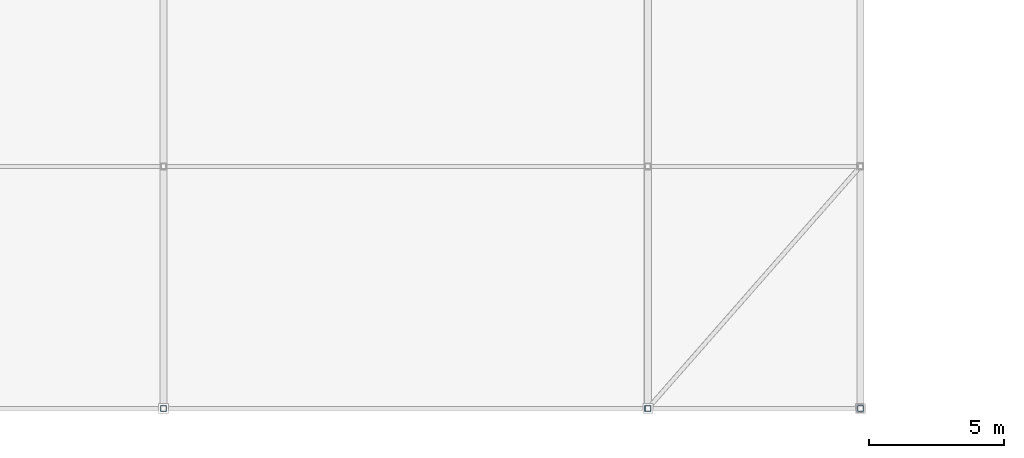
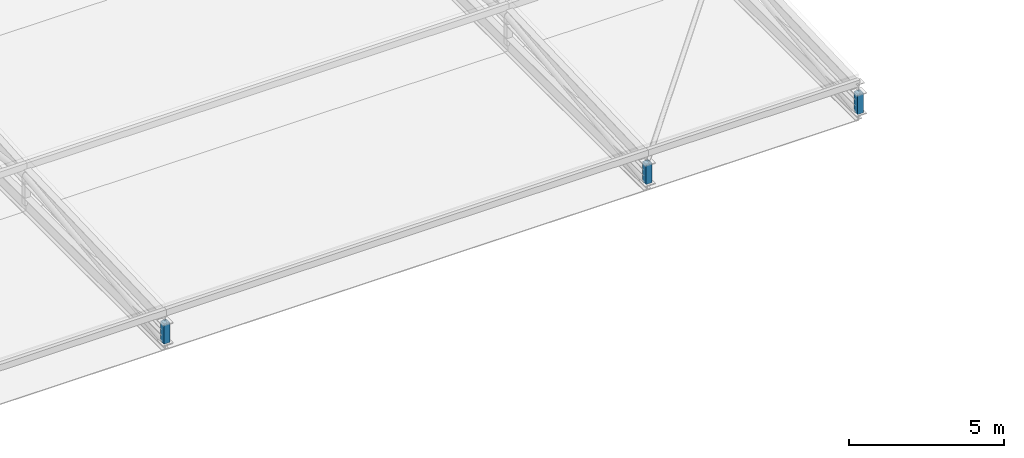
# One storey, part 79 of 114: 3 members.
"""IFC4 building model written with IfcOpenShell, lengths in metres."""

from ifc_helpers import new_model, si_unit, direction, frame, origin, origin_2d, place, context, subcontext, project, spatial, hollow_rectangle, extrude, material, material_profile, profile_set, type_object, element, save


model = new_model("IFC4")

# Units and contexts
model_context = context("Model", 3, precision=1e-05, world=origin(), true_north=direction((0.0, 1.0)))
body_context = subcontext(model_context, "Body", "Model", "MODEL_VIEW")
ifc_project = project(units=[si_unit("LENGTHUNIT", "METRE"), si_unit("AREAUNIT", "SQUARE_METRE"), si_unit("VOLUMEUNIT", "CUBIC_METRE"), si_unit("PLANEANGLEUNIT", "RADIAN"), si_unit("MASSUNIT", "GRAM", prefix="KILO"), si_unit("THERMODYNAMICTEMPERATUREUNIT", "KELVIN"), si_unit("POWERUNIT", "WATT")], contexts=[model_context])

# Site, building, storey
site_placement = place(None, origin())
site = spatial("IfcSite", under=ifc_project, at=site_placement, CompositionType="ELEMENT")
building_placement = place(site_placement, origin())
building = spatial("IfcBuilding", under=site, at=building_placement, Name="Sindhuravela Promenade Stadium", CompositionType="ELEMENT")
storey_placement = place(building_placement, frame((0.0, 0.0, 24.0)))
storey = spatial("IfcBuildingStorey", under=building, at=storey_placement, Name="L05", CompositionType="ELEMENT", Elevation=24.0)

# Members
ifc_material = material(Name="Steel E350 (IS 2062 E350BR)", Category="steel")
ifc_material_profile = material_profile(ifc_material, hollow_rectangle(XDim=0.219970703125, YDim=0.219970703125, WallThickness=0.011962890625, at=origin_2d()), Name="SHS 220x220x12")
ifc_profile_set = profile_set([ifc_material_profile], Name="Steel E350 (IS 2062 E350BR)")
member_type = type_object("IfcMemberType", Name="ST-MB-SHS220", PredefinedType="POST", material=ifc_profile_set)
for number, where, z_axis, x_axis, name in (
    (1, (135.0, 9.0, 0.0), (0.0, 0.0, 1.0), (1.0, 0.0, 0.0), "Roof truss RT-S07 vertical post 1"),
    (2, (153.0, 9.0, 0.0), (0.0, 0.0, 1.0), (1.0, 0.0, 0.0), "Roof truss RT-S08 vertical post 1"),
    (3, (160.89990234375, 9.0, 0.0), (0.0, 0.0, 1.0), (1.0, 0.0, 0.0), "Roof truss RT-S09 vertical post 1"),
):
    element("IfcMember", number, at=place(storey_placement, frame(where, z_axis=z_axis, x_axis=x_axis)), inside=storey, type_object=member_type, Name=name, PredefinedType="POST", context=body_context, shape_type="SweptSolid", body=[
        extrude(hollow_rectangle(XDim=0.219970703125, YDim=0.219970703125, WallThickness=0.011962890625, at=origin_2d()), origin(), (0.0, 0.0, 1.0), 0.800048828125),
    ])

save(model, "model.ifc")
